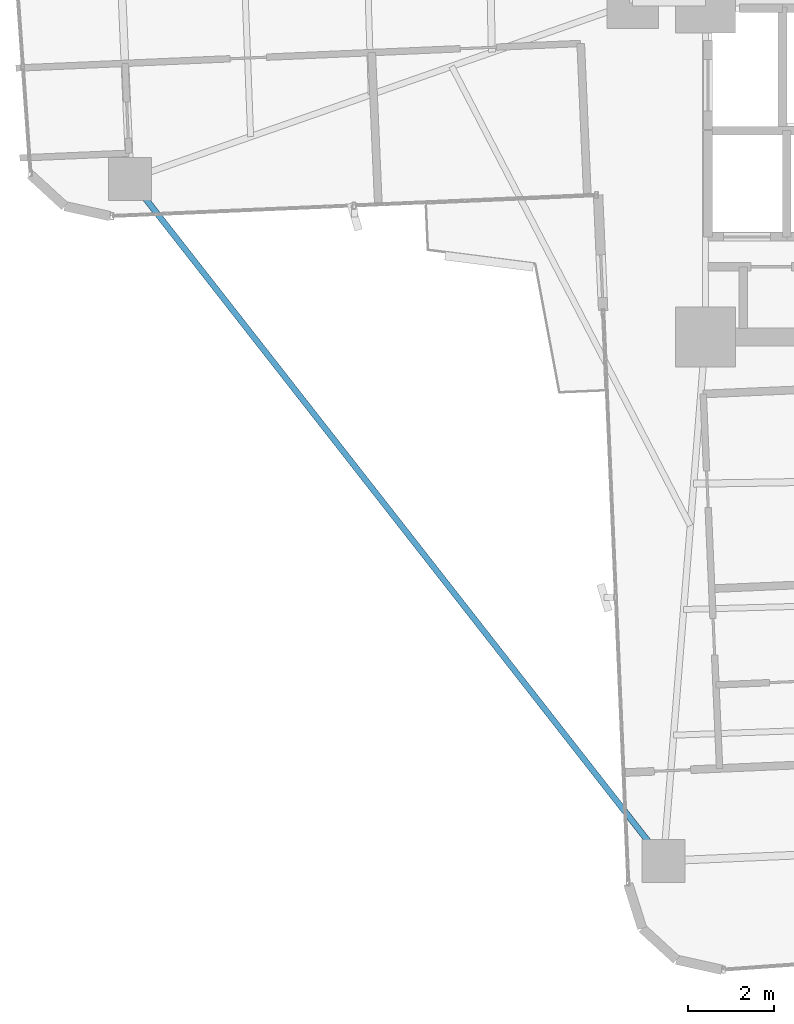
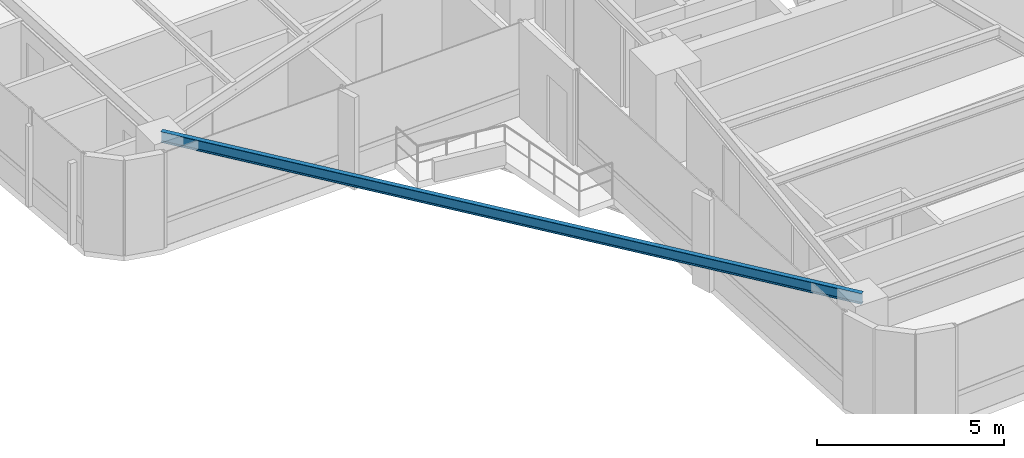
# One storey, part 3 of 26: 1 beam.
"""IFC4 building model written with IfcOpenShell, lengths in metres."""

from ifc_helpers import new_model, si_unit, direction, frame, origin, origin_2d, place, context, subcontext, project, spatial, i_section, extrude, source, transform, mapped, material, material_profile, profile_set, type_object, element, save


model = new_model("IFC4")

# Units and contexts
model_context = context("Model", 3, precision=1e-05, world=origin(), true_north=direction((0.0, 1.0)))
body_context = subcontext(model_context, "Body", "Model", "MODEL_VIEW")
ifc_project = project(units=[si_unit("LENGTHUNIT", "METRE"), si_unit("AREAUNIT", "SQUARE_METRE"), si_unit("VOLUMEUNIT", "CUBIC_METRE"), si_unit("PLANEANGLEUNIT", "RADIAN"), si_unit("MASSUNIT", "GRAM", prefix="KILO")], contexts=[model_context])

# Site, building, storey
site_placement = place(None, origin())
site = spatial("IfcSite", under=ifc_project, at=site_placement, CompositionType="ELEMENT")
building_placement = place(site_placement, origin())
building = spatial("IfcBuilding", under=site, at=building_placement, Name="Sahyath Konkavel Grand Hotel", CompositionType="ELEMENT")
storey_placement = place(building_placement, frame((0.0, 0.0, 111.449951171875)))
storey = spatial("IfcBuildingStorey", under=building, at=storey_placement, Name="L30", CompositionType="ELEMENT", Elevation=111.449951171875)

# Beam
ifc_material = material(Name="Steel E350", Category="steel")
ifc_material_profile = material_profile(ifc_material, i_section(OverallWidth=0.139892578125, OverallDepth=0.35009765625, WebThickness=0.008056640625, FlangeThickness=0.01416015625, FilletRadius=0.013916015625, at=origin_2d()), Name="ISMB 350")
ifc_profile_set = profile_set([ifc_material_profile], Name="Steel E350")
beam_type = type_object("IfcBeamType", Name="BM-ISMB350", PredefinedType="BEAM", material=ifc_profile_set)
shared_shape = source(origin(), body_context, "Body", "SweptSolid", [
    extrude(i_section(OverallWidth=0.139892578125, OverallDepth=0.35009765625, WebThickness=0.008056640625, FlangeThickness=0.01416015625, FilletRadius=0.013916015625, at=origin_2d()), origin(), (0.0, 0.0, 1.0), 20.215576171875),
])
beam_placement = place(storey_placement, frame((-17.232421875, -6.5078125, 2.93505859375), z_axis=(0.616176369687, -0.787608203004, 0.0), x_axis=(0.787608203004, 0.616176369687, 0.0)))
element("IfcBeam", 1, at=beam_placement, inside=storey, type_object=beam_type, Name="L30 Re-Entrant Tie Beam SW", PredefinedType="BEAM", context=body_context, shape_type="MappedRepresentation", body=[
    mapped(shared_shape, transform((0.0, 0.0, 0.0), scale=1.0)),
])

save(model, "model.ifc")
